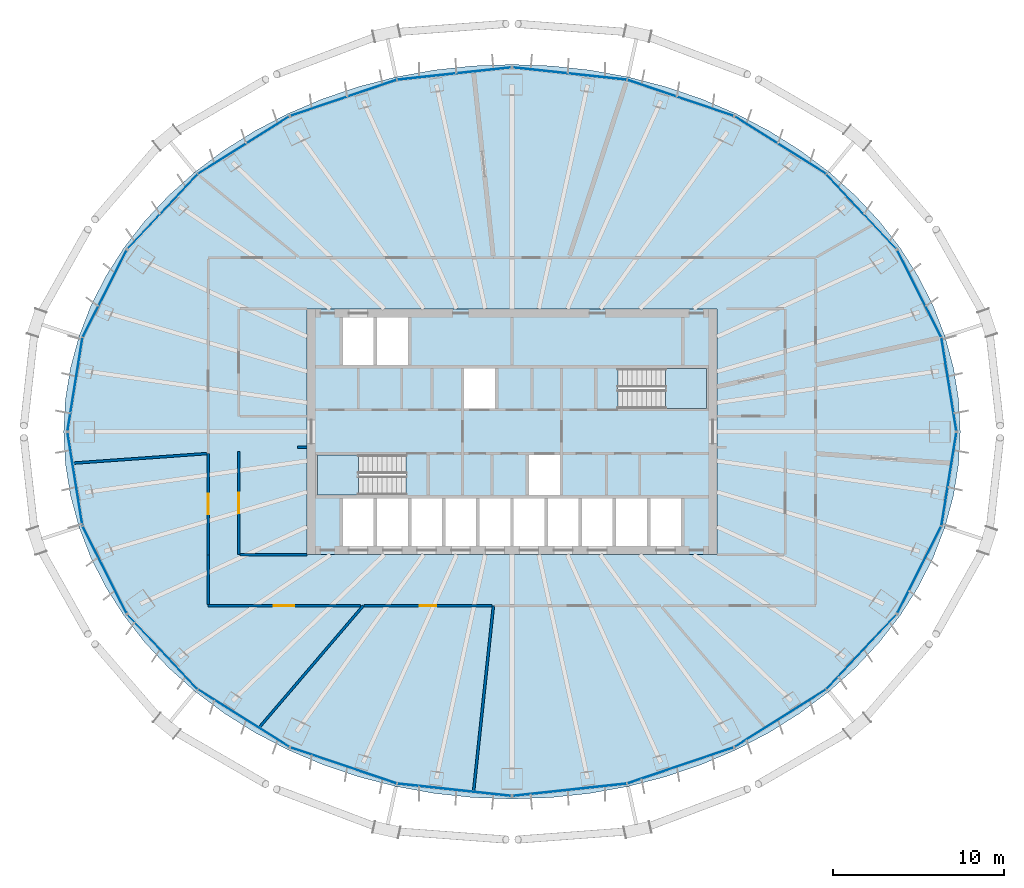
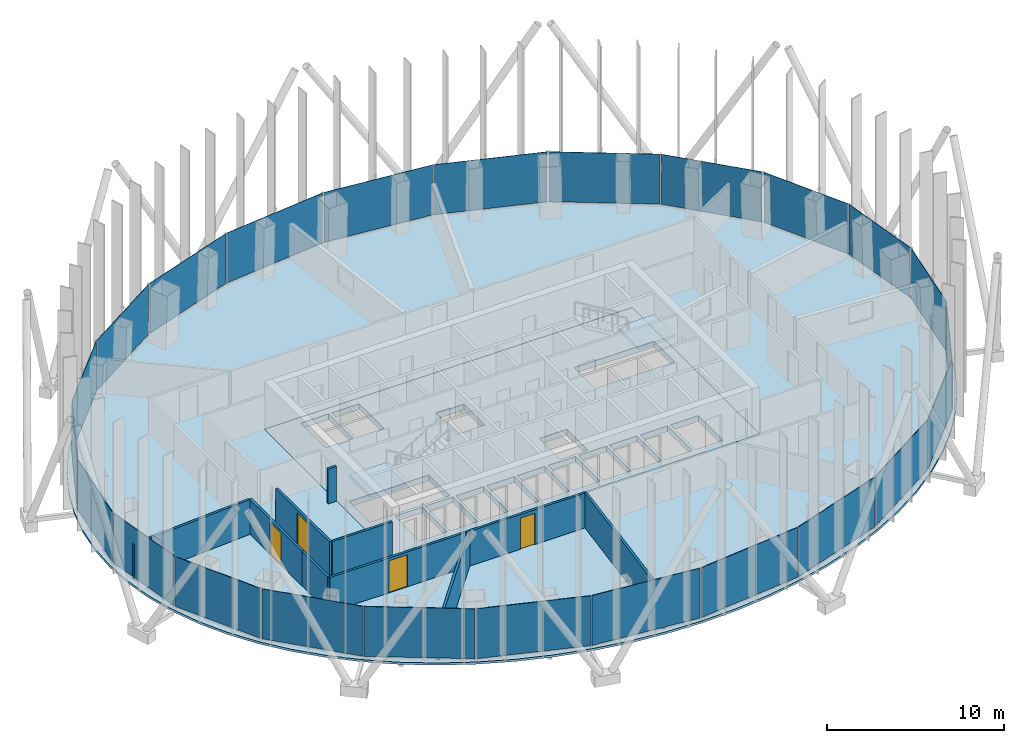
# One storey, part 7 of 19: 24 plates, 10 walls, 4 doors, 4 slabs, 4 openings, 14 elements without a shape of their own.
"""IFC4 building model written with IfcOpenShell, lengths in metres."""

import ifcopenshell
import ifcopenshell.guid

model = None  # the IFC model being written
_history = None  # IfcOwnerHistory: only IFC2X3 demands one
_inside = {}  # id of a spatial element -> (the spatial element, [elements in it])
_under = {}  # id of a project, library or spatial element -> (it, [spatial elements below it])
_declared = {}  # id of a project -> (the project, [libraries it declares])
_typed = {}  # id of a type object -> (the type object, [elements of that type])
_made_of = {}  # id of a material, layer set ... -> (it, [elements and type objects made of it])


def new_model(schema):
    """Start an empty IFC model of exactly this schema.

    Asked for "IFC4X3", IfcOpenShell would pick the latest addendum, in which some entities
    have other attributes; the version numbers below select the first issue.
    IFC2X3 requires an IfcOwnerHistory on every rooted entity: one is made here for all.
    """
    global model, _history
    if schema == "IFC4X3":
        model = ifcopenshell.file(schema_version=(4, 3, 0, 0))
    else:
        model = ifcopenshell.file(schema=schema)
    _inside.clear()
    _under.clear()
    _declared.clear()
    _typed.clear()
    _made_of.clear()
    _history = None
    if model.schema == "IFC2X3":
        org = make("IfcOrganization", Name="unknown")
        user = make(
            "IfcPersonAndOrganization",
            ThePerson=make("IfcPerson", FamilyName="unknown"),
            TheOrganization=org,
        )
        app = make(
            "IfcApplication",
            ApplicationDeveloper=org,
            Version="unknown",
            ApplicationFullName="unknown",
            ApplicationIdentifier="unknown",
        )
        _history = make(
            "IfcOwnerHistory",
            OwningUser=user,
            OwningApplication=app,
            ChangeAction="ADDED",
            CreationDate=0,
        )
    return model


def make(cls, **values):
    """One entity of the class cls with the attributes given. An attribute that is None is left unset."""
    return model.create_entity(
        cls, **{name: value for name, value in values.items() if value is not None}
    )


def rooted(cls, **values):
    """An entity with a GlobalId (a new one), such as an element, a storey or a relation."""
    return make(cls, GlobalId=ifcopenshell.guid.new(), OwnerHistory=_history, **values)


def si_unit(unit_type, name, prefix=None):
    """IfcSIUnit, for example si_unit("LENGTHUNIT", "METRE", prefix="MILLI")."""
    return make("IfcSIUnit", UnitType=unit_type, Prefix=prefix, Name=name)


def assignment(units):
    """IfcUnitAssignment: the units of a project."""
    return None if units is None else make("IfcUnitAssignment", Units=units)


def point(xyz):
    """IfcCartesianPoint."""
    return None if xyz is None else make("IfcCartesianPoint", Coordinates=xyz)


def direction(xyz):
    """IfcDirection."""
    return None if xyz is None else make("IfcDirection", DirectionRatios=xyz)


def frame(location, z_axis=None, x_axis=None):
    """IfcAxis2Placement3D, a coordinate frame: its origin and axes. An axis left out is left unset."""
    return make(
        "IfcAxis2Placement3D",
        Location=point(location),
        Axis=direction(z_axis),
        RefDirection=direction(x_axis),
    )


def frame_2d(location, x_axis=None):
    """IfcAxis2Placement2D, a coordinate frame in the plane: its origin and x axis."""
    return make(
        "IfcAxis2Placement2D", Location=point(location), RefDirection=direction(x_axis)
    )


def origin():
    """The frame at (0, 0, 0) with its axes left unset."""
    return frame((0.0, 0.0, 0.0))


def origin_2d():
    """The frame at (0, 0) in the plane with its x axis left unset."""
    return frame_2d((0.0, 0.0))


def place(relative_to, where):
    """IfcLocalPlacement: puts the frame where relative to a parent placement (None: the world)."""
    return make(
        "IfcLocalPlacement", PlacementRelTo=relative_to, RelativePlacement=where
    )


def context(
    kind, dimensions, precision=None, world=None, true_north=None, identifier=None
):
    """IfcGeometricRepresentationContext, for example the 3D "Model" context."""
    return make(
        "IfcGeometricRepresentationContext",
        ContextIdentifier=identifier,
        ContextType=kind,
        CoordinateSpaceDimension=dimensions,
        Precision=precision,
        WorldCoordinateSystem=world,
        TrueNorth=true_north,
    )


def subcontext(parent, identifier, kind, view, scale=None):
    """IfcGeometricRepresentationSubContext, for example "Body" below "Model"."""
    return make(
        "IfcGeometricRepresentationSubContext",
        ContextIdentifier=identifier,
        ContextType=kind,
        ParentContext=parent,
        TargetScale=scale,
        TargetView=view,
    )


def project(units=None, contexts=None):
    """IfcProject with its units and contexts."""
    return rooted(
        "IfcProject",
        Name="project",
        RepresentationContexts=contexts,
        UnitsInContext=assignment(units),
    )


def spatial(cls, under=None, at=None, **own):
    """A site, building, storey or space (cls), placed at a placement, below another one or the project."""
    s = rooted(cls, ObjectPlacement=at, **own)
    if under is not None:
        _under.setdefault(under.id(), (under, []))[1].append(s)
    return s


def polyline(points):
    """IfcPolyline through the points."""
    return make("IfcPolyline", Points=[point(p) for p in points])


def profile(cls, at=None, kind="AREA", **sizes):
    """A parametric profile (cls). Its sizes go by their IFC names, for example OverallWidth=200.0."""
    return make(cls, ProfileType=kind, Position=at, **sizes)


def rectangle(**sizes):
    """IfcRectangleProfileDef."""
    return profile("IfcRectangleProfileDef", **sizes)


def outline(outer, holes=None, kind="AREA"):
    """IfcArbitraryClosedProfileDef: a profile drawn as a closed curve; with holes, ...WithVoids."""
    if holes is None:
        return make("IfcArbitraryClosedProfileDef", ProfileType=kind, OuterCurve=outer)
    return make(
        "IfcArbitraryProfileDefWithVoids",
        ProfileType=kind,
        OuterCurve=outer,
        InnerCurves=holes,
    )


def extrude(swept, where, along, depth):
    """IfcExtrudedAreaSolid: the profile swept, set in the frame where, extruded along a direction by depth."""
    return make(
        "IfcExtrudedAreaSolid",
        SweptArea=swept,
        Position=where,
        ExtrudedDirection=direction(along),
        Depth=depth,
    )


def shape(context_of_items, identifier, shape_type, items):
    """IfcShapeRepresentation: the items that make up one representation, for example the "Body"."""
    return make(
        "IfcShapeRepresentation",
        ContextOfItems=context_of_items,
        RepresentationIdentifier=identifier,
        RepresentationType=shape_type,
        Items=items,
    )


def material(Name=None, Category=None):
    """IfcMaterial."""
    return make("IfcMaterial", Name=Name, Category=Category)


def layer(
    of_material, thickness, ventilated=None, Name=None, Category=None, Priority=None
):
    """IfcMaterialLayer: one layer of a wall or slab, of a material (None: an air gap)."""
    return make(
        "IfcMaterialLayer",
        Material=of_material,
        LayerThickness=thickness,
        IsVentilated=ventilated,
        Name=Name,
        Category=Category,
        Priority=Priority,
    )


def layer_set(layers, Name=None):
    """IfcMaterialLayerSet."""
    return make("IfcMaterialLayerSet", MaterialLayers=layers, LayerSetName=Name)


def made_of(thing, what):
    """Note that an element or type object is made of a material, layer set ...; save() writes the relation."""
    if what is not None:
        _made_of.setdefault(what.id(), (what, []))[1].append(thing)
    return thing


def type_object(cls, material=None, **own):
    """A type object (cls), such as IfcWallType, which elements share."""
    return made_of(rooted(cls, **own), material)


def element(
    cls,
    number,
    at=None,
    inside=None,
    cuts=None,
    type_object=None,
    material=None,
    context=None,
    identifier="Body",
    shape_type=None,
    held_by="IfcProductDefinitionShape",
    body=None,
    shapes=None,
    **own,
):
    """One element of the class cls, such as IfcWall. Its Tag is "e" and its number.

    at: its placement. inside: the storey or other place that contains it. cuts: it is an
    opening in that element (IfcRelVoidsElement). A single representation is given by context,
    identifier, shape_type and body (its items); several are given by shapes. held_by: the class
    of the entity that holds the representations. save() writes the other relations.
    """
    e = rooted(cls, Tag="e%d" % number, ObjectPlacement=at, **own)
    if body is not None:
        shapes = [shape(context, identifier, shape_type, body)]
    if shapes is not None:
        e.Representation = make(held_by, Representations=shapes)
    if inside is not None:
        _inside.setdefault(inside.id(), (inside, []))[1].append(e)
    if cuts is not None:
        rooted(
            "IfcRelVoidsElement", RelatingBuildingElement=cuts, RelatedOpeningElement=e
        )
    if type_object is not None:
        _typed.setdefault(type_object.id(), (type_object, []))[1].append(e)
    return made_of(e, material)


def fill(opening, filler):
    """IfcRelFillsElement: the door or window that sits in an opening."""
    return rooted(
        "IfcRelFillsElement",
        RelatingOpeningElement=opening,
        RelatedBuildingElement=filler,
    )


def aggregate(whole, parts):
    """IfcRelAggregates: a whole, such as a stair, and the parts it consists of."""
    return rooted("IfcRelAggregates", RelatingObject=whole, RelatedObjects=parts)


def save(model, path):
    """Write the relations noted so far, then the file.

    IfcRelAggregates (storeys below a building ...), IfcRelContainedInSpatialStructure (elements
    in a storey), IfcRelDefinesByType, IfcRelAssociatesMaterial and IfcRelDeclares: one each for
    every whole, place, type object, material and project.
    """
    for whole, parts in _under.values():
        aggregate(whole, parts)
    for where, things in _inside.values():
        rooted(
            "IfcRelContainedInSpatialStructure",
            RelatedElements=things,
            RelatingStructure=where,
        )
    for kind, things in _typed.values():
        rooted("IfcRelDefinesByType", RelatedObjects=things, RelatingType=kind)
    for what, things in _made_of.values():
        rooted("IfcRelAssociatesMaterial", RelatedObjects=things, RelatingMaterial=what)
    for by, libraries in _declared.values():
        rooted("IfcRelDeclares", RelatingContext=by, RelatedDefinitions=libraries)
    model.write(path)


model = new_model("IFC4")

# Units and contexts
model_context = context("Model", 3, precision=1e-05, world=origin(), true_north=direction((0.0, 1.0)))
body_context = subcontext(model_context, "Body", "Model", "MODEL_VIEW")
ifc_project = project(units=[si_unit("LENGTHUNIT", "METRE"), si_unit("AREAUNIT", "SQUARE_METRE"), si_unit("VOLUMEUNIT", "CUBIC_METRE"), si_unit("PLANEANGLEUNIT", "RADIAN"), si_unit("MASSUNIT", "GRAM", prefix="KILO")], contexts=[model_context])

# Site, building, storey
site_placement = place(None, origin())
site = spatial("IfcSite", under=ifc_project, at=site_placement, CompositionType="ELEMENT")
building_placement = place(site_placement, origin())
building = spatial("IfcBuilding", under=site, at=building_placement, Name="Siaravel Broadcast Tower", CompositionType="ELEMENT")
storey_placement = place(building_placement, frame((0.0, 0.0, 97.10009765625)))
storey = spatial("IfcBuildingStorey", under=building, at=storey_placement, Name="L22", CompositionType="ELEMENT", Elevation=97.10009765625)

# Curtain wall, plates
ifc_material_1 = material(Name="Aluminium 6063-T6", Category="aluminium")
ifc_layer_1 = layer(ifc_material_1, 0.199951171875)
ifc_layer_set_1 = layer_set([ifc_layer_1], Name="Aluminium 6063-T6")
curtain_wall_type = type_object("IfcCurtainWallType", Name="Unitised curtain wall, zone 2", PredefinedType="NOTDEFINED", material=ifc_layer_set_1)
curtain_wall_1_placement = place(storey_placement, origin())
curtain_wall_1 = element("IfcCurtainWall", 1, at=curtain_wall_1_placement, inside=storey, type_object=curtain_wall_type, Name="L22 Unitised curtain wall, zone 2 01", PredefinedType="NOTDEFINED")
ifc_material_2 = material(Name="Tinted laminated glass", Category="glass")
ifc_layer_2 = layer(ifc_material_2, 0.030029296875)
ifc_layer_set_2 = layer_set([ifc_layer_2], Name="Tinted laminated glass")
plate_type = type_object("IfcPlateType", Name="CW-Z2 glass panel", PredefinedType="CURTAIN_PANEL", material=ifc_layer_set_2)
plate_1_placement = place(storey_placement, frame((25.593017578125, 2.77880859375, 0.10986328125), z_axis=(0.0, 0.0, 1.0), x_axis=(-0.15868576, 0.987329139, 0.0)))
plate_1 = element("IfcPlate", 2, at=plate_1_placement, type_object=plate_type, Name="CW-Z2 glass panel", PredefinedType="CURTAIN_PANEL", context=body_context, shape_type="SweptSolid", body=[
    extrude(rectangle(XDim=5.498779296875, YDim=0.030029296875, at=origin_2d()), origin(), (0.0, 0.0, 1.0), 3.43994140625),
])
plate_2_placement = place(storey_placement, frame((23.857421875, 8.084716796875, 0.10986328125), z_axis=(0.0, 0.0, 1.0), x_axis=(-0.451261384, 0.892391822, 0.0)))
plate_2 = element("IfcPlate", 3, at=plate_2_placement, type_object=plate_type, Name="CW-Z2 glass panel", PredefinedType="CURTAIN_PANEL", context=body_context, shape_type="SweptSolid", body=[
    extrude(rectangle(XDim=5.6708984375, YDim=0.030029296875, at=origin_2d()), origin(), (0.0, 0.0, 1.0), 3.43994140625),
])
aggregate(curtain_wall_1, [plate_1, plate_2])

curtain_wall_2_placement = place(storey_placement, origin())
curtain_wall_2 = element("IfcCurtainWall", 4, at=curtain_wall_2_placement, inside=storey, type_object=curtain_wall_type, Name="L22 Unitised curtain wall, zone 2 02", PredefinedType="NOTDEFINED")
plate_3_placement = place(storey_placement, frame((20.467529296875, 12.894287109375, 0.10986328125), z_axis=(0.0, 0.0, 1.0), x_axis=(-0.683655524, 0.729804854, 0.0)))
plate_3 = element("IfcPlate", 5, at=plate_3_placement, type_object=plate_type, Name="CW-Z2 glass panel", PredefinedType="CURTAIN_PANEL", context=body_context, shape_type="SweptSolid", body=[
    extrude(rectangle(XDim=5.957275390625, YDim=0.030029296875, at=origin_2d()), origin(), (0.0, 0.0, 1.0), 3.43994140625),
])
plate_4_placement = place(storey_placement, frame((15.726318359375, 16.77783203125, 0.10986328125), z_axis=(0.0, 0.0, 1.0), x_axis=(-0.846650783, 0.5321489, 0.0)))
plate_4 = element("IfcPlate", 6, at=plate_4_placement, type_object=plate_type, Name="CW-Z2 glass panel", PredefinedType="CURTAIN_PANEL", context=body_context, shape_type="SweptSolid", body=[
    extrude(rectangle(XDim=6.272216796875, YDim=0.030029296875, at=origin_2d()), origin(), (0.0, 0.0, 1.0), 3.43994140625),
])
aggregate(curtain_wall_2, [plate_3, plate_4])

curtain_wall_3_placement = place(storey_placement, origin())
curtain_wall_3 = element("IfcCurtainWall", 7, at=curtain_wall_3_placement, inside=storey, type_object=curtain_wall_type, Name="L22 Unitised curtain wall, zone 2 03", PredefinedType="NOTDEFINED")
plate_5_placement = place(storey_placement, frame((9.861328125, 19.5517578125, 0.10986328125), z_axis=(0.0, 0.0, 1.0), x_axis=(-0.946977313, 0.321300433, 0.0)))
plate_5 = element("IfcPlate", 8, at=plate_5_placement, type_object=plate_type, Name="CW-Z2 glass panel", PredefinedType="CURTAIN_PANEL", context=body_context, shape_type="SweptSolid", body=[
    extrude(rectangle(XDim=6.532958984375, YDim=0.030029296875, at=origin_2d()), origin(), (0.0, 0.0, 1.0), 3.43994140625),
])
plate_6_placement = place(storey_placement, frame((3.384765625, 20.973388671875, 0.10986328125), z_axis=(0.0, 0.0, 1.0), x_axis=(-0.994235597, 0.107217428, 0.0)))
plate_6 = element("IfcPlate", 9, at=plate_6_placement, type_object=plate_type, Name="CW-Z2 glass panel", PredefinedType="CURTAIN_PANEL", context=body_context, shape_type="SweptSolid", body=[
    extrude(rectangle(XDim=6.678955078125, YDim=0.030029296875, at=origin_2d()), origin(), (0.0, 0.0, 1.0), 3.43994140625),
])
aggregate(curtain_wall_3, [plate_5, plate_6])

curtain_wall_4_placement = place(storey_placement, origin())
curtain_wall_4 = element("IfcCurtainWall", 10, at=curtain_wall_4_placement, inside=storey, type_object=curtain_wall_type, Name="L22 Unitised curtain wall, zone 2 04", PredefinedType="NOTDEFINED")
plate_7_placement = place(storey_placement, frame((-3.384765625, 20.973388671875, 0.10986328125), z_axis=(0.0, 0.0, 1.0), x_axis=(-0.994235597, -0.107217428, 0.0)))
plate_7 = element("IfcPlate", 11, at=plate_7_placement, type_object=plate_type, Name="CW-Z2 glass panel", PredefinedType="CURTAIN_PANEL", context=body_context, shape_type="SweptSolid", body=[
    extrude(rectangle(XDim=6.678955078125, YDim=0.030029296875, at=origin_2d()), origin(), (0.0, 0.0, 1.0), 3.43994140625),
])
plate_8_placement = place(storey_placement, frame((-9.861328125, 19.5517578125, 0.10986328125), z_axis=(0.0, 0.0, 1.0), x_axis=(-0.946977313, -0.321300433, 0.0)))
plate_8 = element("IfcPlate", 12, at=plate_8_placement, type_object=plate_type, Name="CW-Z2 glass panel", PredefinedType="CURTAIN_PANEL", context=body_context, shape_type="SweptSolid", body=[
    extrude(rectangle(XDim=6.532958984375, YDim=0.030029296875, at=origin_2d()), origin(), (0.0, 0.0, 1.0), 3.43994140625),
])
aggregate(curtain_wall_4, [plate_7, plate_8])

curtain_wall_5_placement = place(storey_placement, origin())
curtain_wall_5 = element("IfcCurtainWall", 13, at=curtain_wall_5_placement, inside=storey, type_object=curtain_wall_type, Name="L22 Unitised curtain wall, zone 2 05", PredefinedType="NOTDEFINED")
plate_9_placement = place(storey_placement, frame((-15.726318359375, 16.77783203125, 0.10986328125), z_axis=(0.0, 0.0, 1.0), x_axis=(-0.846650783, -0.5321489, 0.0)))
plate_9 = element("IfcPlate", 14, at=plate_9_placement, type_object=plate_type, Name="CW-Z2 glass panel", PredefinedType="CURTAIN_PANEL", context=body_context, shape_type="SweptSolid", body=[
    extrude(rectangle(XDim=6.272216796875, YDim=0.030029296875, at=origin_2d()), origin(), (0.0, 0.0, 1.0), 3.43994140625),
])
plate_10_placement = place(storey_placement, frame((-20.467529296875, 12.894287109375, 0.10986328125), z_axis=(0.0, 0.0, 1.0), x_axis=(-0.683655524, -0.729804854, 0.0)))
plate_10 = element("IfcPlate", 15, at=plate_10_placement, type_object=plate_type, Name="CW-Z2 glass panel", PredefinedType="CURTAIN_PANEL", context=body_context, shape_type="SweptSolid", body=[
    extrude(rectangle(XDim=5.957275390625, YDim=0.030029296875, at=origin_2d()), origin(), (0.0, 0.0, 1.0), 3.43994140625),
])
aggregate(curtain_wall_5, [plate_9, plate_10])

curtain_wall_6_placement = place(storey_placement, origin())
curtain_wall_6 = element("IfcCurtainWall", 16, at=curtain_wall_6_placement, inside=storey, type_object=curtain_wall_type, Name="L22 Unitised curtain wall, zone 2 06", PredefinedType="NOTDEFINED")
plate_11_placement = place(storey_placement, frame((-23.857421875, 8.084716796875, 0.10986328125), z_axis=(0.0, 0.0, 1.0), x_axis=(-0.451261384, -0.892391822, 0.0)))
plate_11 = element("IfcPlate", 17, at=plate_11_placement, type_object=plate_type, Name="CW-Z2 glass panel", PredefinedType="CURTAIN_PANEL", context=body_context, shape_type="SweptSolid", body=[
    extrude(rectangle(XDim=5.6708984375, YDim=0.030029296875, at=origin_2d()), origin(), (0.0, 0.0, 1.0), 3.43994140625),
])
plate_12_placement = place(storey_placement, frame((-25.593017578125, 2.77880859375, 0.10986328125), z_axis=(0.0, 0.0, 1.0), x_axis=(-0.15868576, -0.987329139, 0.0)))
plate_12 = element("IfcPlate", 18, at=plate_12_placement, type_object=plate_type, Name="CW-Z2 glass panel", PredefinedType="CURTAIN_PANEL", context=body_context, shape_type="SweptSolid", body=[
    extrude(rectangle(XDim=5.498779296875, YDim=0.030029296875, at=origin_2d()), origin(), (0.0, 0.0, 1.0), 3.43994140625),
])
aggregate(curtain_wall_6, [plate_11, plate_12])

curtain_wall_7_placement = place(storey_placement, origin())
curtain_wall_7 = element("IfcCurtainWall", 19, at=curtain_wall_7_placement, inside=storey, type_object=curtain_wall_type, Name="L22 Unitised curtain wall, zone 2 07", PredefinedType="NOTDEFINED")
plate_13_placement = place(storey_placement, frame((-25.593017578125, -2.77880859375, 0.10986328125), z_axis=(0.0, 0.0, 1.0), x_axis=(0.15868576, -0.987329139, 0.0)))
plate_13 = element("IfcPlate", 20, at=plate_13_placement, type_object=plate_type, Name="CW-Z2 glass panel", PredefinedType="CURTAIN_PANEL", context=body_context, shape_type="SweptSolid", body=[
    extrude(rectangle(XDim=5.498779296875, YDim=0.030029296875, at=origin_2d()), origin(), (0.0, 0.0, 1.0), 3.43994140625),
])
plate_14_placement = place(storey_placement, frame((-23.857421875, -8.084716796875, 0.10986328125), z_axis=(0.0, 0.0, 1.0), x_axis=(0.451261384, -0.892391822, 0.0)))
plate_14 = element("IfcPlate", 21, at=plate_14_placement, type_object=plate_type, Name="CW-Z2 glass panel", PredefinedType="CURTAIN_PANEL", context=body_context, shape_type="SweptSolid", body=[
    extrude(rectangle(XDim=5.6708984375, YDim=0.030029296875, at=origin_2d()), origin(), (0.0, 0.0, 1.0), 3.43994140625),
])
aggregate(curtain_wall_7, [plate_13, plate_14])

curtain_wall_8_placement = place(storey_placement, origin())
curtain_wall_8 = element("IfcCurtainWall", 22, at=curtain_wall_8_placement, inside=storey, type_object=curtain_wall_type, Name="L22 Unitised curtain wall, zone 2 08", PredefinedType="NOTDEFINED")
plate_15_placement = place(storey_placement, frame((-20.467529296875, -12.894287109375, 0.10986328125), z_axis=(0.0, 0.0, 1.0), x_axis=(0.683655524, -0.729804854, 0.0)))
plate_15 = element("IfcPlate", 23, at=plate_15_placement, type_object=plate_type, Name="CW-Z2 glass panel", PredefinedType="CURTAIN_PANEL", context=body_context, shape_type="SweptSolid", body=[
    extrude(rectangle(XDim=5.957275390625, YDim=0.030029296875, at=origin_2d()), origin(), (0.0, 0.0, 1.0), 3.43994140625),
])
plate_16_placement = place(storey_placement, frame((-15.726318359375, -16.77783203125, 0.10986328125), z_axis=(0.0, 0.0, 1.0), x_axis=(0.846650783, -0.5321489, 0.0)))
plate_16 = element("IfcPlate", 24, at=plate_16_placement, type_object=plate_type, Name="CW-Z2 glass panel", PredefinedType="CURTAIN_PANEL", context=body_context, shape_type="SweptSolid", body=[
    extrude(rectangle(XDim=6.272216796875, YDim=0.030029296875, at=origin_2d()), origin(), (0.0, 0.0, 1.0), 3.43994140625),
])
aggregate(curtain_wall_8, [plate_15, plate_16])

curtain_wall_9_placement = place(storey_placement, origin())
curtain_wall_9 = element("IfcCurtainWall", 25, at=curtain_wall_9_placement, inside=storey, type_object=curtain_wall_type, Name="L22 Unitised curtain wall, zone 2 09", PredefinedType="NOTDEFINED")
plate_17_placement = place(storey_placement, frame((-9.861328125, -19.5517578125, 0.10986328125), z_axis=(0.0, 0.0, 1.0), x_axis=(0.946977313, -0.321300433, 0.0)))
plate_17 = element("IfcPlate", 26, at=plate_17_placement, type_object=plate_type, Name="CW-Z2 glass panel", PredefinedType="CURTAIN_PANEL", context=body_context, shape_type="SweptSolid", body=[
    extrude(rectangle(XDim=6.532958984375, YDim=0.030029296875, at=origin_2d()), origin(), (0.0, 0.0, 1.0), 3.43994140625),
])
plate_18_placement = place(storey_placement, frame((-3.384765625, -20.973388671875, 0.10986328125), z_axis=(0.0, 0.0, 1.0), x_axis=(0.994235597, -0.107217428, 0.0)))
plate_18 = element("IfcPlate", 27, at=plate_18_placement, type_object=plate_type, Name="CW-Z2 glass panel", PredefinedType="CURTAIN_PANEL", context=body_context, shape_type="SweptSolid", body=[
    extrude(rectangle(XDim=6.678955078125, YDim=0.030029296875, at=origin_2d()), origin(), (0.0, 0.0, 1.0), 3.43994140625),
])
aggregate(curtain_wall_9, [plate_17, plate_18])

curtain_wall_10_placement = place(storey_placement, origin())
curtain_wall_10 = element("IfcCurtainWall", 28, at=curtain_wall_10_placement, inside=storey, type_object=curtain_wall_type, Name="L22 Unitised curtain wall, zone 2 10", PredefinedType="NOTDEFINED")
plate_19_placement = place(storey_placement, frame((3.384765625, -20.973388671875, 0.10986328125), z_axis=(0.0, 0.0, 1.0), x_axis=(0.994235597, 0.107217428, 0.0)))
plate_19 = element("IfcPlate", 29, at=plate_19_placement, type_object=plate_type, Name="CW-Z2 glass panel", PredefinedType="CURTAIN_PANEL", context=body_context, shape_type="SweptSolid", body=[
    extrude(rectangle(XDim=6.678955078125, YDim=0.030029296875, at=origin_2d()), origin(), (0.0, 0.0, 1.0), 3.43994140625),
])
plate_20_placement = place(storey_placement, frame((9.861328125, -19.5517578125, 0.10986328125), z_axis=(0.0, 0.0, 1.0), x_axis=(0.946977313, 0.321300433, 0.0)))
plate_20 = element("IfcPlate", 30, at=plate_20_placement, type_object=plate_type, Name="CW-Z2 glass panel", PredefinedType="CURTAIN_PANEL", context=body_context, shape_type="SweptSolid", body=[
    extrude(rectangle(XDim=6.532958984375, YDim=0.030029296875, at=origin_2d()), origin(), (0.0, 0.0, 1.0), 3.43994140625),
])
aggregate(curtain_wall_10, [plate_19, plate_20])

curtain_wall_11_placement = place(storey_placement, origin())
curtain_wall_11 = element("IfcCurtainWall", 31, at=curtain_wall_11_placement, inside=storey, type_object=curtain_wall_type, Name="L22 Unitised curtain wall, zone 2 11", PredefinedType="NOTDEFINED")
plate_21_placement = place(storey_placement, frame((15.726318359375, -16.77783203125, 0.10986328125), z_axis=(0.0, 0.0, 1.0), x_axis=(0.846650783, 0.5321489, 0.0)))
plate_21 = element("IfcPlate", 32, at=plate_21_placement, type_object=plate_type, Name="CW-Z2 glass panel", PredefinedType="CURTAIN_PANEL", context=body_context, shape_type="SweptSolid", body=[
    extrude(rectangle(XDim=6.272216796875, YDim=0.030029296875, at=origin_2d()), origin(), (0.0, 0.0, 1.0), 3.43994140625),
])
plate_22_placement = place(storey_placement, frame((20.467529296875, -12.894287109375, 0.10986328125), z_axis=(0.0, 0.0, 1.0), x_axis=(0.683655524, 0.729804854, 0.0)))
plate_22 = element("IfcPlate", 33, at=plate_22_placement, type_object=plate_type, Name="CW-Z2 glass panel", PredefinedType="CURTAIN_PANEL", context=body_context, shape_type="SweptSolid", body=[
    extrude(rectangle(XDim=5.957275390625, YDim=0.030029296875, at=origin_2d()), origin(), (0.0, 0.0, 1.0), 3.43994140625),
])
aggregate(curtain_wall_11, [plate_21, plate_22])

curtain_wall_12_placement = place(storey_placement, origin())
curtain_wall_12 = element("IfcCurtainWall", 34, at=curtain_wall_12_placement, inside=storey, type_object=curtain_wall_type, Name="L22 Unitised curtain wall, zone 2 12", PredefinedType="NOTDEFINED")
plate_23_placement = place(storey_placement, frame((23.857421875, -8.084716796875, 0.10986328125), z_axis=(0.0, 0.0, 1.0), x_axis=(0.451261384, 0.892391822, 0.0)))
plate_23 = element("IfcPlate", 35, at=plate_23_placement, type_object=plate_type, Name="CW-Z2 glass panel", PredefinedType="CURTAIN_PANEL", context=body_context, shape_type="SweptSolid", body=[
    extrude(rectangle(XDim=5.6708984375, YDim=0.030029296875, at=origin_2d()), origin(), (0.0, 0.0, 1.0), 3.43994140625),
])
plate_24_placement = place(storey_placement, frame((25.593017578125, -2.77880859375, 0.10986328125), z_axis=(0.0, 0.0, 1.0), x_axis=(0.15868576, 0.987329139, 0.0)))
plate_24 = element("IfcPlate", 36, at=plate_24_placement, type_object=plate_type, Name="CW-Z2 glass panel", PredefinedType="CURTAIN_PANEL", context=body_context, shape_type="SweptSolid", body=[
    extrude(rectangle(XDim=5.498779296875, YDim=0.030029296875, at=origin_2d()), origin(), (0.0, 0.0, 1.0), 3.43994140625),
])
aggregate(curtain_wall_12, [plate_23, plate_24])

# Slabs
ifc_material_3 = material(Name="Concrete C40/50", Category="concrete")
ifc_layer_3 = layer(ifc_material_3, 0.39990234375)
ifc_layer_set_3 = layer_set([ifc_layer_3], Name="Concrete C40/50")
slab_type_1 = type_object("IfcSlabType", Name="Core floor slab 400", PredefinedType="FLOOR", material=ifc_layer_set_3)
slab_1_placement = place(storey_placement, frame((0.0, 0.0, -0.400146484375)))
element("IfcSlab", 37, at=slab_1_placement, inside=storey, type_object=slab_type_1, Name="L22 core floor", PredefinedType="FLOOR", context=body_context, shape_type="SweptSolid", body=[
    extrude(outline(polyline([(-12.0, -7.199951171875), (-12.0, 7.199951171875), (12.0, 7.199951171875), (12.0, -7.199951171875), (-12.0, -7.199951171875)]), holes=[polyline([(11.3994140625, 1.3505859375), (11.3994140625, 3.699462890625), (6.200439453125, 3.699462890625), (6.200439453125, 1.3505859375), (11.3994140625, 1.3505859375)]), polyline([(9.89990234375, -3.89990234375), (8.10009765625, -3.89990234375), (8.10009765625, -6.699951171875), (9.89990234375, -6.699951171875), (9.89990234375, -3.89990234375)]), polyline([(7.89990234375, -3.89990234375), (6.10009765625, -3.89990234375), (6.10009765625, -6.699951171875), (7.89990234375, -6.699951171875), (7.89990234375, -3.89990234375)]), polyline([(5.89990234375, -3.89990234375), (4.10009765625, -3.89990234375), (4.10009765625, -6.699951171875), (5.89990234375, -6.699951171875), (5.89990234375, -3.89990234375)]), polyline([(3.89990234375, -3.89990234375), (2.10009765625, -3.89990234375), (2.10009765625, -6.699951171875), (3.89990234375, -6.699951171875), (3.89990234375, -3.89990234375)]), polyline([(2.800048828125, -1.35009765625), (1.0, -1.35009765625), (1.0, -3.699951171875), (2.800048828125, -3.699951171875), (2.800048828125, -1.35009765625)]), polyline([(1.89990234375, -3.89990234375), (0.10009765625, -3.89990234375), (0.10009765625, -6.699951171875), (1.89990234375, -6.699951171875), (1.89990234375, -3.89990234375)]), polyline([(-0.10009765625, -3.89990234375), (-1.89990234375, -3.89990234375), (-1.89990234375, -6.699951171875), (-0.10009765625, -6.699951171875), (-0.10009765625, -3.89990234375)]), polyline([(-1.0, 3.699951171875), (-2.800048828125, 3.699951171875), (-2.800048828125, 1.35009765625), (-1.0, 1.35009765625), (-1.0, 3.699951171875)]), polyline([(-2.10009765625, -3.89990234375), (-3.89990234375, -3.89990234375), (-3.89990234375, -6.699951171875), (-2.10009765625, -6.699951171875), (-2.10009765625, -3.89990234375)]), polyline([(-4.10009765625, -3.89990234375), (-5.89990234375, -3.89990234375), (-5.89990234375, -6.699951171875), (-4.10009765625, -6.699951171875), (-4.10009765625, -3.89990234375)]), polyline([(-6.10009765625, -3.89990234375), (-7.89990234375, -3.89990234375), (-7.89990234375, -6.699951171875), (-6.10009765625, -6.699951171875), (-6.10009765625, -3.89990234375)]), polyline([(-6.10009765625, 6.699951171875), (-7.89990234375, 6.699951171875), (-7.89990234375, 3.89990234375), (-6.10009765625, 3.89990234375), (-6.10009765625, 6.699951171875)]), polyline([(-11.3994140625, -1.3505859375), (-11.3994140625, -3.699462890625), (-6.200439453125, -3.699462890625), (-6.200439453125, -1.3505859375), (-11.3994140625, -1.3505859375)]), polyline([(-8.10009765625, -3.89990234375), (-9.89990234375, -3.89990234375), (-9.89990234375, -6.699951171875), (-8.10009765625, -6.699951171875), (-8.10009765625, -3.89990234375)]), polyline([(-8.10009765625, 6.699951171875), (-9.89990234375, 6.699951171875), (-9.89990234375, 3.89990234375), (-8.10009765625, 3.89990234375), (-8.10009765625, 6.699951171875)])]), origin(), (0.0, 0.0, 1.0), 0.400146484375),
])
ifc_layer_4 = layer(ifc_material_3, 0.14990234375)
ifc_layer_set_4 = layer_set([ifc_layer_4], Name="Concrete C40/50")
slab_type_2 = type_object("IfcSlabType", Name="SLB-FLOOR-150", PredefinedType="FLOOR", material=ifc_layer_set_4)
slab_2_placement = place(storey_placement, frame((0.0, 0.0, -0.150146484375)))
element("IfcSlab", 38, at=slab_2_placement, inside=storey, type_object=slab_type_2, Name="Floor slab", PredefinedType="FLOOR", context=body_context, shape_type="SweptSolid", body=[
    extrude(outline(polyline([(26.259521484375, 0.0), (26.159423828125, 1.874755859375), (25.860595703125, 3.735107421875), (25.364501953125, 5.56689453125), (24.67578125, 7.356689453125), (23.799072265625, 9.09033203125), (22.7412109375, 10.754638671875), (21.510498046875, 12.33740234375), (20.115966796875, 13.825927734375), (18.568115234375, 15.20947265625), (16.879150390625, 16.477294921875), (15.061767578125, 17.619384765625), (13.129638671875, 18.627685546875), (11.09765625, 19.494140625), (8.981201171875, 20.212158203125), (6.79638671875, 20.776611328125), (4.559814453125, 21.1826171875), (2.288818359375, 21.427490234375), (0.0, 21.509521484375), (-2.288818359375, 21.427490234375), (-4.559814453125, 21.1826171875), (-6.79638671875, 20.776611328125), (-8.981201171875, 20.212158203125), (-11.09765625, 19.494140625), (-13.129638671875, 18.627685546875), (-15.061767578125, 17.619384765625), (-16.879150390625, 16.477294921875), (-18.568115234375, 15.20947265625), (-20.115966796875, 13.825927734375), (-21.510498046875, 12.33740234375), (-22.7412109375, 10.754638671875), (-23.799072265625, 9.09033203125), (-24.67578125, 7.356689453125), (-25.364501953125, 5.56689453125), (-25.860595703125, 3.735107421875), (-26.159423828125, 1.874755859375), (-26.259521484375, 0.0), (-26.159423828125, -1.874755859375), (-25.860595703125, -3.735107421875), (-25.364501953125, -5.56689453125), (-24.67578125, -7.356689453125), (-23.799072265625, -9.09033203125), (-22.7412109375, -10.754638671875), (-21.510498046875, -12.33740234375), (-20.115966796875, -13.825927734375), (-18.568115234375, -15.20947265625), (-16.879150390625, -16.477294921875), (-15.061767578125, -17.619384765625), (-13.129638671875, -18.627685546875), (-11.09765625, -19.494140625), (-8.981201171875, -20.212158203125), (-6.79638671875, -20.776611328125), (-4.559814453125, -21.1826171875), (-2.288818359375, -21.427490234375), (0.0, -21.509521484375), (2.288818359375, -21.427490234375), (4.559814453125, -21.1826171875), (6.79638671875, -20.776611328125), (8.981201171875, -20.212158203125), (11.09765625, -19.494140625), (13.129638671875, -18.627685546875), (15.061767578125, -17.619384765625), (16.879150390625, -16.477294921875), (18.568115234375, -15.20947265625), (20.115966796875, -13.825927734375), (21.510498046875, -12.33740234375), (22.7412109375, -10.754638671875), (23.799072265625, -9.09033203125), (24.67578125, -7.356689453125), (25.364501953125, -5.56689453125), (25.860595703125, -3.735107421875), (26.159423828125, -1.874755859375), (26.259521484375, 0.0)]), holes=[polyline([(-12.0, 7.199951171875), (12.0, 7.199951171875), (12.0, -7.199951171875), (-12.0, -7.199951171875), (-12.0, 7.199951171875)])]), origin(), (0.0, 0.0, 1.0), 0.150146484375),
])

# Stair, slab
stair_type = type_object("IfcStairType", Name="Core exit stair", PredefinedType="HALF_TURN_STAIR", material=ifc_material_3)
stair_1_placement = place(storey_placement, origin())
stair_1 = element("IfcStair", 39, at=stair_1_placement, inside=storey, type_object=stair_type, Name="L22 Exit stair ST-1", PredefinedType="HALF_TURN_STAIR")
ifc_layer_5 = layer(ifc_material_3, 0.199951171875)
ifc_layer_set_5 = layer_set([ifc_layer_5], Name="Concrete C40/50")
slab_type_3 = type_object("IfcSlabType", Name="Stair landing", PredefinedType="LANDING", material=ifc_layer_set_5)
slab_3_placement = place(storey_placement, frame((0.0, 0.0, 1.64990234375)))
slab_3 = element("IfcSlab", 40, at=slab_3_placement, type_object=slab_type_3, Name="ST-1 landing 1", PredefinedType="LANDING", context=body_context, shape_type="SweptSolid", body=[
    extrude(outline(polyline([(-9.0, -1.35009765625), (-11.39990234375, -1.35009765625), (-11.39990234375, -3.699951171875), (-9.0, -3.699951171875), (-9.0, -1.35009765625)])), origin(), (0.0, 0.0, 1.0), 0.199951171875),
])
aggregate(stair_1, [slab_3])

stair_2_placement = place(storey_placement, origin())
stair_2 = element("IfcStair", 41, at=stair_2_placement, inside=storey, type_object=stair_type, Name="L22 Exit stair ST-2", PredefinedType="HALF_TURN_STAIR")
slab_4_placement = place(storey_placement, frame((0.0, 0.0, 1.64990234375)))
slab_4 = element("IfcSlab", 42, at=slab_4_placement, type_object=slab_type_3, Name="ST-2 landing 1", PredefinedType="LANDING", context=body_context, shape_type="SweptSolid", body=[
    extrude(outline(polyline([(9.0, 1.35009765625), (11.39990234375, 1.35009765625), (11.39990234375, 3.699951171875), (9.0, 3.699951171875), (9.0, 1.35009765625)])), origin(), (0.0, 0.0, 1.0), 0.199951171875),
])
aggregate(stair_2, [slab_4])

# Wall, opening, door
ifc_material_4 = material(Name="Gypsum board partition", Category="gypsum")
ifc_layer_6 = layer(ifc_material_4, 0.14990234375)
ifc_layer_set_6 = layer_set([ifc_layer_6], Name="Gypsum board partition")
wall_type_1 = type_object("IfcWallType", Name="Corridor wall 150", PredefinedType="PARTITIONING", material=ifc_layer_set_6)
wall_1_placement = place(storey_placement, frame((-17.800048828125, -10.199951171875, 0.0), z_axis=(0.0, 0.0, 1.0), x_axis=(1.0, 0.0, 0.0)))
wall_1 = element("IfcWall", 43, at=wall_1_placement, inside=storey, type_object=wall_type_1, Name="L22 partition 9", PredefinedType="PARTITIONING", context=body_context, shape_type="SweptSolid", body=[
    extrude(rectangle(XDim=8.916015625, YDim=0.14990234375, at=frame_2d((4.4580078125, 0.0))), origin(), (0.0, 0.0, 1.0), 2.39990234375),
])
opening_1_placement = place(wall_1_placement, frame((3.85791015625, 0.0, 0.0)))
opening_1 = element("IfcOpeningElement", 44, at=opening_1_placement, cuts=wall_1, Name="Opening L22-005", PredefinedType="OPENING", context=body_context, shape_type="SweptSolid", body=[
    extrude(rectangle(XDim=1.199951171875, YDim=2.199951171875, at=frame_2d((0.60009765625, 1.10009765625))), frame((0.0, 0.0849609375, 0.0), z_axis=(0.0, -1.0, 0.0), x_axis=(1.0, 0.0, 0.0)), (0.0, 0.0, 1.0), 0.169921875),
])
ifc_material_5 = material(Name="Timber veneer", Category="wood")
door_type_1 = type_object("IfcDoorType", Name="Office double door 1200", OperationType="DOUBLE_DOOR_SINGLE_SWING", PredefinedType="DOOR", material=ifc_material_5)
door_1_placement = place(opening_1_placement, origin())
door_1 = element("IfcDoor", 45, at=door_1_placement, inside=storey, type_object=door_type_1, Name="L22 door to Open plan production office", OperationType="DOUBLE_DOOR_SINGLE_SWING", OverallHeight=2.199951171875, OverallWidth=1.199951171875, PredefinedType="DOOR", context=body_context, shape_type="SweptSolid", body=[
    extrude(rectangle(XDim=1.199951171875, YDim=2.199951171875, at=frame_2d((0.60009765625, 1.10009765625))), frame((0.0, 0.02490234375, 0.0), z_axis=(0.0, -1.0, 0.0), x_axis=(1.0, 0.0, 0.0)), (0.0, 0.0, 1.0), 0.050048828125),
])
fill(opening_1, door_1)

wall_2_placement = place(storey_placement, frame((-8.660400390625, -10.199951171875, 0.0), z_axis=(0.0, 0.0, 1.0), x_axis=(1.0, 0.0, 0.0)))
wall_2 = element("IfcWall", 46, at=wall_2_placement, inside=storey, type_object=wall_type_1, Name="L22 partition 14", PredefinedType="PARTITIONING", context=body_context, shape_type="SweptSolid", body=[
    extrude(rectangle(XDim=7.485595703125, YDim=0.14990234375, at=frame_2d((3.74267578125, 0.0))), origin(), (0.0, 0.0, 1.0), 2.39990234375),
])
opening_2_placement = place(wall_2_placement, frame((3.267578125, 0.0, 0.0)))
opening_2 = element("IfcOpeningElement", 47, at=opening_2_placement, cuts=wall_2, Name="Opening L22-008", PredefinedType="OPENING", context=body_context, shape_type="SweptSolid", body=[
    extrude(rectangle(XDim=0.949951171875, YDim=2.14990234375, at=frame_2d((0.47509765625, 1.074951171875))), frame((0.0, 0.0849609375, 0.0), z_axis=(0.0, -1.0, 0.0), x_axis=(1.0, 0.0, 0.0)), (0.0, 0.0, 1.0), 0.169921875),
])
door_type_2 = type_object("IfcDoorType", Name="Office door 950", OperationType="SINGLE_SWING_LEFT", PredefinedType="DOOR", material=ifc_material_5)
door_2_placement = place(opening_2_placement, origin())
door_2 = element("IfcDoor", 48, at=door_2_placement, inside=storey, type_object=door_type_2, Name="L22 door to Design studio", OperationType="SINGLE_SWING_RIGHT", OverallHeight=2.14990234375, OverallWidth=0.949951171875, PredefinedType="DOOR", context=body_context, shape_type="SweptSolid", body=[
    extrude(rectangle(XDim=0.949951171875, YDim=2.14990234375, at=frame_2d((0.47509765625, 1.074951171875))), frame((0.0, 0.02490234375, 0.0), z_axis=(0.0, -1.0, 0.0), x_axis=(1.0, 0.0, 0.0)), (0.0, 0.0, 1.0), 0.050048828125),
])
fill(opening_2, door_2)

wall_3_placement = place(storey_placement, frame((-16.0, -7.199951171875, 0.0), z_axis=(0.0, 0.0, 1.0), x_axis=(0.0, 1.0, 0.0)))
wall_3 = element("IfcWall", 49, at=wall_3_placement, inside=storey, type_object=wall_type_1, Name="L22 partition 18", PredefinedType="PARTITIONING", context=body_context, shape_type="SweptSolid", body=[
    extrude(rectangle(XDim=6.053466796875, YDim=0.14990234375, at=frame_2d((3.02685546875, 0.0))), origin(), (0.0, 0.0, 1.0), 2.39990234375),
])
opening_3_placement = place(wall_3_placement, frame((2.4267578125, 0.0, 0.0)))
opening_3 = element("IfcOpeningElement", 50, at=opening_3_placement, cuts=wall_3, Name="Opening L22-007", PredefinedType="OPENING", context=body_context, shape_type="SweptSolid", body=[
    extrude(rectangle(XDim=1.199951171875, YDim=2.199951171875, at=frame_2d((0.60009765625, 1.10009765625))), frame((0.0, 0.0849609375, 0.0), z_axis=(0.0, -1.0, 0.0), x_axis=(1.0, 0.0, 0.0)), (0.0, 0.0, 1.0), 0.169921875),
])
door_3_placement = place(opening_3_placement, origin())
door_3 = element("IfcDoor", 51, at=door_3_placement, inside=storey, type_object=door_type_1, Name="L22 door to Open plan production office", OperationType="DOUBLE_DOOR_SINGLE_SWING", OverallHeight=2.199951171875, OverallWidth=1.199951171875, PredefinedType="DOOR", context=body_context, shape_type="SweptSolid", body=[
    extrude(rectangle(XDim=1.199951171875, YDim=2.199951171875, at=frame_2d((0.60009765625, 1.10009765625))), frame((0.0, 0.02490234375, 0.0), z_axis=(0.0, -1.0, 0.0), x_axis=(1.0, 0.0, 0.0)), (0.0, 0.0, 1.0), 0.050048828125),
])
fill(opening_3, door_3)

wall_4_placement = place(storey_placement, frame((-17.800048828125, -1.275634765625, 0.0), z_axis=(0.0, 0.0, 1.0), x_axis=(0.0, -1.0, 0.0)))
wall_4 = element("IfcWall", 52, at=wall_4_placement, inside=storey, type_object=wall_type_1, Name="L22 partition 20", PredefinedType="PARTITIONING", context=body_context, shape_type="SweptSolid", body=[
    extrude(rectangle(XDim=5.936279296875, YDim=0.14990234375, at=frame_2d((2.96826171875, 0.0))), origin(), (0.0, 0.0, 1.0), 2.39990234375),
])
opening_4_placement = place(wall_4_placement, frame((2.3681640625, 0.0, 0.0)))
opening_4 = element("IfcOpeningElement", 53, at=opening_4_placement, cuts=wall_4, Name="Opening L22-006", PredefinedType="OPENING", context=body_context, shape_type="SweptSolid", body=[
    extrude(rectangle(XDim=1.199951171875, YDim=2.199951171875, at=frame_2d((0.60009765625, 1.10009765625))), frame((0.0, 0.0849609375, 0.0), z_axis=(0.0, -1.0, 0.0), x_axis=(1.0, 0.0, 0.0)), (0.0, 0.0, 1.0), 0.169921875),
])
door_4_placement = place(opening_4_placement, origin())
door_4 = element("IfcDoor", 54, at=door_4_placement, inside=storey, type_object=door_type_1, Name="L22 door to Open plan production office", OperationType="DOUBLE_DOOR_SINGLE_SWING", OverallHeight=2.199951171875, OverallWidth=1.199951171875, PredefinedType="DOOR", context=body_context, shape_type="SweptSolid", body=[
    extrude(rectangle(XDim=1.199951171875, YDim=2.199951171875, at=frame_2d((0.60009765625, 1.10009765625))), frame((0.0, 0.02490234375, 0.0), z_axis=(0.0, -1.0, 0.0), x_axis=(1.0, 0.0, 0.0)), (0.0, 0.0, 1.0), 0.050048828125),
])
fill(opening_4, door_4)

# Walls
wall_5_placement = place(storey_placement, frame((-12.0, -7.199951171875, 0.0), z_axis=(0.0, 0.0, 1.0), x_axis=(-1.0, 0.0, 0.0)))
element("IfcWall", 55, at=wall_5_placement, inside=storey, type_object=wall_type_1, Name="L22 partition 27", PredefinedType="PARTITIONING", context=body_context, shape_type="SweptSolid", body=[
    extrude(rectangle(XDim=3.923095703125, YDim=0.14990234375, at=frame_2d((1.96142578125, 0.0))), origin(), (0.0, 0.0, 1.0), 2.39990234375),
])
wall_6_placement = place(storey_placement, frame((-17.800048828125, -7.212890625, 0.0), z_axis=(0.0, 0.0, 1.0), x_axis=(0.0, -1.0, 0.0)))
element("IfcWall", 56, at=wall_6_placement, inside=storey, type_object=wall_type_1, Name="L22 partition 36", PredefinedType="PARTITIONING", context=body_context, shape_type="SweptSolid", body=[
    extrude(rectangle(XDim=2.91015625, YDim=0.14990234375, at=frame_2d((1.455078125, 0.0))), origin(), (0.0, 0.0, 1.0), 2.39990234375),
])
wall_7_placement = place(storey_placement, frame((-12.558837890625, -0.89990234375, 0.0), z_axis=(0.0, 0.0, 1.0), x_axis=(1.0, 0.0, 0.0)))
element("IfcWall", 57, at=wall_7_placement, inside=storey, type_object=wall_type_1, Name="L22 partition 40", PredefinedType="PARTITIONING", context=body_context, shape_type="SweptSolid", body=[
    extrude(rectangle(XDim=0.558837890625, YDim=0.14990234375, at=frame_2d((0.279296875, 0.0))), origin(), (0.0, 0.0, 1.0), 2.39990234375),
])
ifc_layer_7 = layer(ifc_material_4, 0.14990234375)
ifc_layer_set_7 = layer_set([ifc_layer_7], Name="Gypsum board partition")
wall_type_2 = type_object("IfcWallType", Name="Room partition 150", PredefinedType="PARTITIONING", material=ifc_layer_set_7)
wall_8_placement = place(storey_placement, frame((-2.252197265625, -21.087890625, 0.0), z_axis=(0.0, 0.0, 1.0), x_axis=(0.106196959, 0.994345114, 0.0)))
element("IfcWall", 58, at=wall_8_placement, inside=storey, type_object=wall_type_2, Name="L22 partition 3", PredefinedType="PARTITIONING", context=body_context, shape_type="SweptSolid", body=[
    extrude(rectangle(XDim=10.949951171875, YDim=0.14990234375, at=frame_2d((5.47509765625, 0.0))), origin(), (0.0, 0.0, 1.0), 2.39990234375),
])
wall_9_placement = place(storey_placement, frame((-14.826904296875, -17.344970703125, 0.0), z_axis=(0.0, 0.0, 1.0), x_axis=(0.649770499, 0.760130448, 0.0)))
element("IfcWall", 59, at=wall_9_placement, inside=storey, type_object=wall_type_2, Name="L22 partition 8", PredefinedType="PARTITIONING", context=body_context, shape_type="SweptSolid", body=[
    extrude(rectangle(XDim=9.399658203125, YDim=0.14990234375, at=frame_2d((4.69970703125, 0.0))), origin(), (0.0, 0.0, 1.0), 2.39990234375),
])
wall_10_placement = place(storey_placement, frame((-25.7705078125, -1.8466796875, 0.0), z_axis=(0.0, 0.0, 1.0), x_axis=(0.997442231, 0.071477241, 0.0)))
element("IfcWall", 60, at=wall_10_placement, inside=storey, type_object=wall_type_2, Name="L22 partition 13", PredefinedType="PARTITIONING", context=body_context, shape_type="SweptSolid", body=[
    extrude(rectangle(XDim=7.9140625, YDim=0.14990234375, at=frame_2d((3.95703125, 0.0))), origin(), (0.0, 0.0, 1.0), 2.39990234375),
])

save(model, "model.ifc")
